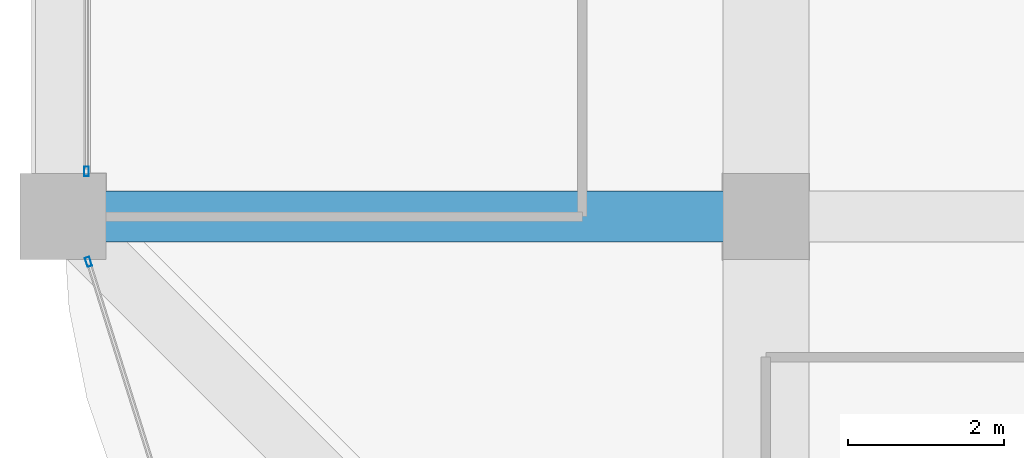
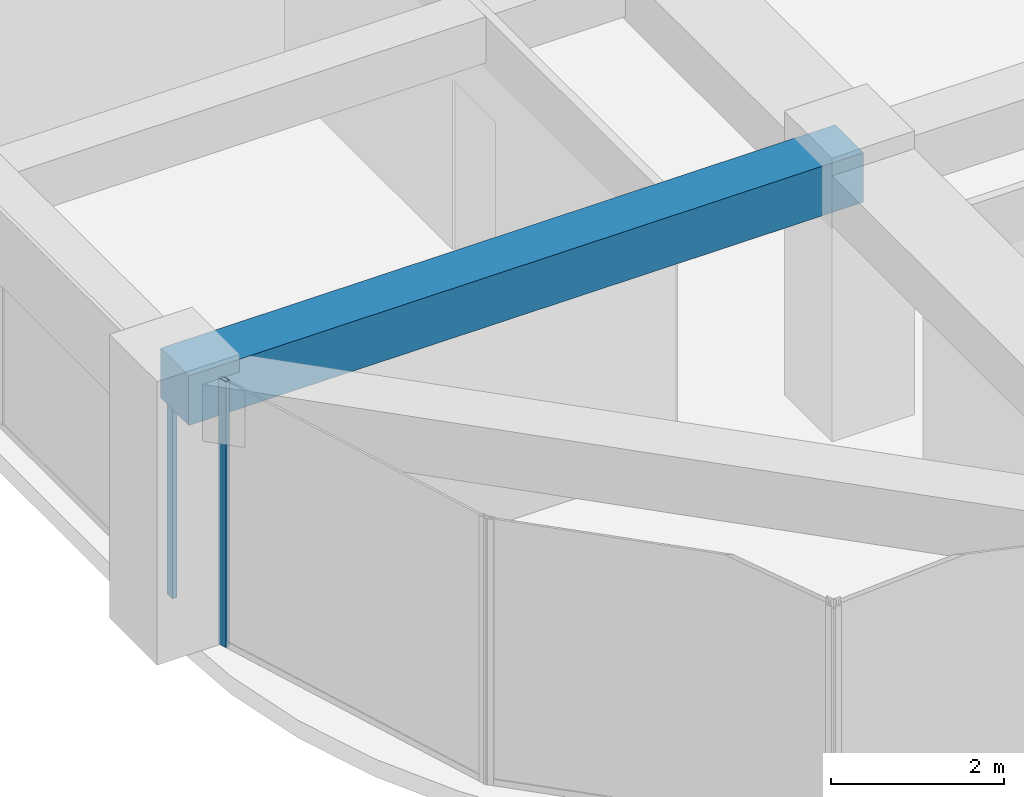
# One storey, part 6 of 44: 2 members, 1 beam, 2 elements without a shape of their own.
"""IFC4 building model written with IfcOpenShell, lengths in metres."""

from ifc_helpers import new_model, si_unit, direction, frame, origin, origin_2d, place, context, subcontext, project, spatial, rectangle, hollow_rectangle, extrude, material, material_profile, profile_set, type_object, element, aggregate, save


model = new_model("IFC4")

# Units and contexts
model_context = context("Model", 3, precision=1e-05, world=origin(), true_north=direction((0.0, 1.0)))
body_context = subcontext(model_context, "Body", "Model", "MODEL_VIEW")
ifc_project = project(units=[si_unit("LENGTHUNIT", "METRE"), si_unit("AREAUNIT", "SQUARE_METRE"), si_unit("VOLUMEUNIT", "CUBIC_METRE"), si_unit("PLANEANGLEUNIT", "RADIAN"), si_unit("MASSUNIT", "GRAM", prefix="KILO")], contexts=[model_context])

# Site, building, storey
site_placement = place(None, origin())
site = spatial("IfcSite", under=ifc_project, at=site_placement, CompositionType="ELEMENT")
building_placement = place(site_placement, origin())
building = spatial("IfcBuilding", under=site, at=building_placement, Name="Zorevar Civic Tower", CompositionType="ELEMENT")
storey_placement = place(building_placement, frame((0.0, 0.0, 271.39990234375)))
storey = spatial("IfcBuildingStorey", under=building, at=storey_placement, Name="L66", CompositionType="ELEMENT", Elevation=271.39990234375)

# Beam
ifc_material_1 = material(Name="Concrete C50/60", Category="concrete")
ifc_material_profile_1 = material_profile(ifc_material_1, rectangle(XDim=0.64990234375, YDim=0.699951171875, at=origin_2d()), Name="RC 650x700")
ifc_profile_set_1 = profile_set([ifc_material_profile_1], Name="Concrete C50/60")
beam_type = type_object("IfcBeamType", Name="Beam RC 650x700", PredefinedType="BEAM", material=ifc_profile_set_1)
beam_placement = place(storey_placement, frame((9.0, 9.0, 3.400146484375), z_axis=(1.0, 0.0, 0.0), x_axis=(0.0, 1.0, 0.0)))
element("IfcBeam", 1, at=beam_placement, inside=storey, type_object=beam_type, Name="Girder L67", PredefinedType="BEAM", context=body_context, shape_type="SweptSolid", body=[
    extrude(rectangle(XDim=0.64990234375, YDim=0.699951171875, at=origin_2d()), origin(), (0.0, 0.0, 1.0), 9.0),
])

# Curtain wall, member
ifc_material_2 = material(Name="Dark grey solar-control glass in black aluminium frame", Category="aluminium")
curtain_wall_type = type_object("IfcCurtainWallType", Name="Curtain wall CW5 top zone", PredefinedType="NOTDEFINED", material=ifc_material_2)
curtain_wall_1_placement = place(storey_placement, origin())
curtain_wall_1 = element("IfcCurtainWall", 2, at=curtain_wall_1_placement, inside=storey, type_object=curtain_wall_type, Name="CW5 L66", PredefinedType="NOTDEFINED")
ifc_material_3 = material(Name="Aluminium, black anodised", Category="aluminium")
ifc_material_profile_2 = material_profile(ifc_material_3, hollow_rectangle(XDim=0.06005859375, YDim=0.1201171875, WallThickness=0.0029296875, at=origin_2d()), Name="AL 120x60x3")
ifc_profile_set_2 = profile_set([ifc_material_profile_2], Name="Aluminium, black anodised")
member_type = type_object("IfcMemberType", Name="CW5 mullion AL 120x60x3", PredefinedType="MULLION", material=ifc_profile_set_2)
member_1_placement = place(storey_placement, frame((9.300048828125, 9.580078125, 0.0), z_axis=(0.0, 0.0, 1.0), x_axis=(-1.0, 0.0, 0.0)))
member_1 = element("IfcMember", 3, at=member_1_placement, type_object=member_type, Name="CW5 mullion 1", PredefinedType="MULLION", context=body_context, shape_type="SweptSolid", body=[
    extrude(hollow_rectangle(XDim=0.06005859375, YDim=0.1201171875, WallThickness=0.0029296875, at=origin_2d()), origin(), (0.0, 0.0, 1.0), 2.9501953125),
])
aggregate(curtain_wall_1, [member_1])

curtain_wall_2_placement = place(storey_placement, origin())
curtain_wall_2 = element("IfcCurtainWall", 4, at=curtain_wall_2_placement, inside=storey, type_object=curtain_wall_type, Name="CW5 L66", PredefinedType="NOTDEFINED")
member_2_placement = place(storey_placement, frame((9.326416015625, 8.42138671875, 0.0), z_axis=(0.0, 0.0, 1.0), x_axis=(0.954153437674, 0.299317920238, 0.0)))
member_2 = element("IfcMember", 5, at=member_2_placement, type_object=member_type, Name="CW5 mullion 1", PredefinedType="MULLION", context=body_context, shape_type="SweptSolid", body=[
    extrude(hollow_rectangle(XDim=0.06005859375, YDim=0.1201171875, WallThickness=0.0029296875, at=origin_2d()), origin(), (0.0, 0.0, 1.0), 3.75),
])
aggregate(curtain_wall_2, [member_2])

save(model, "model.ifc")
